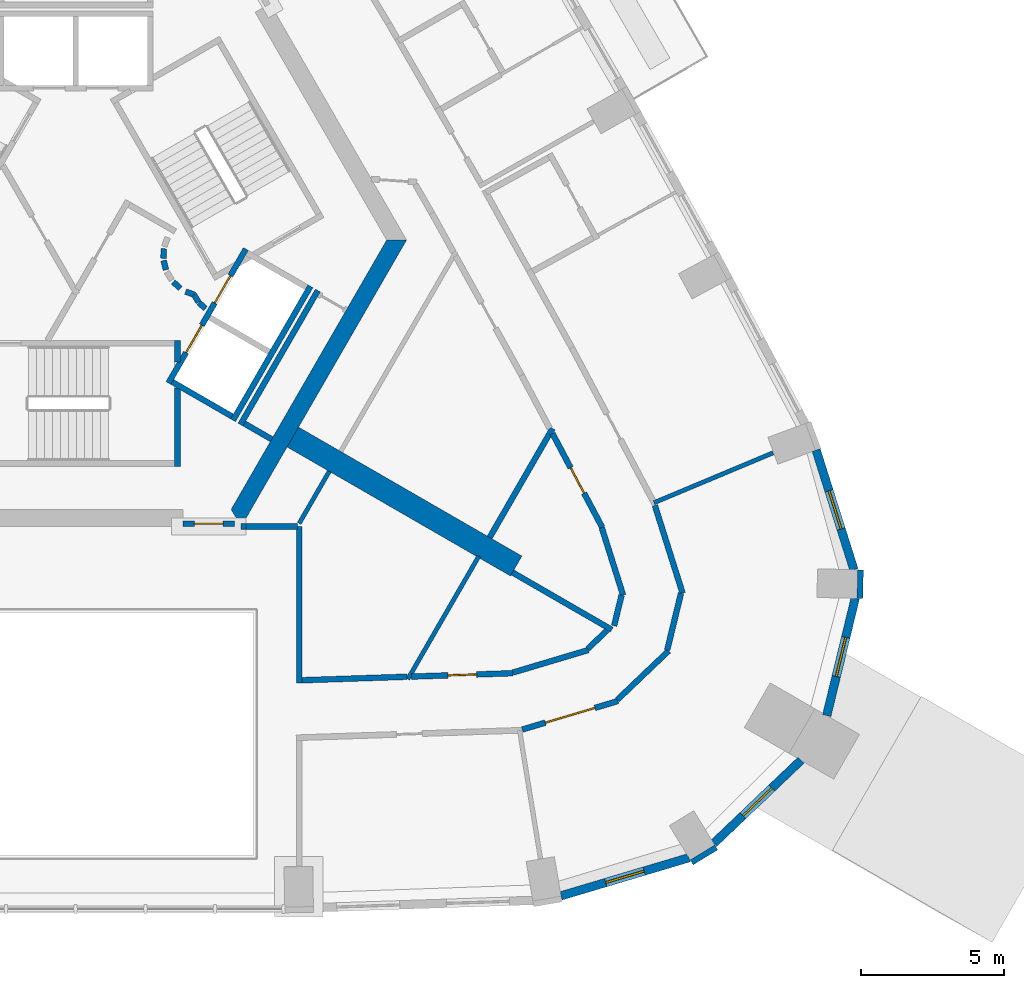
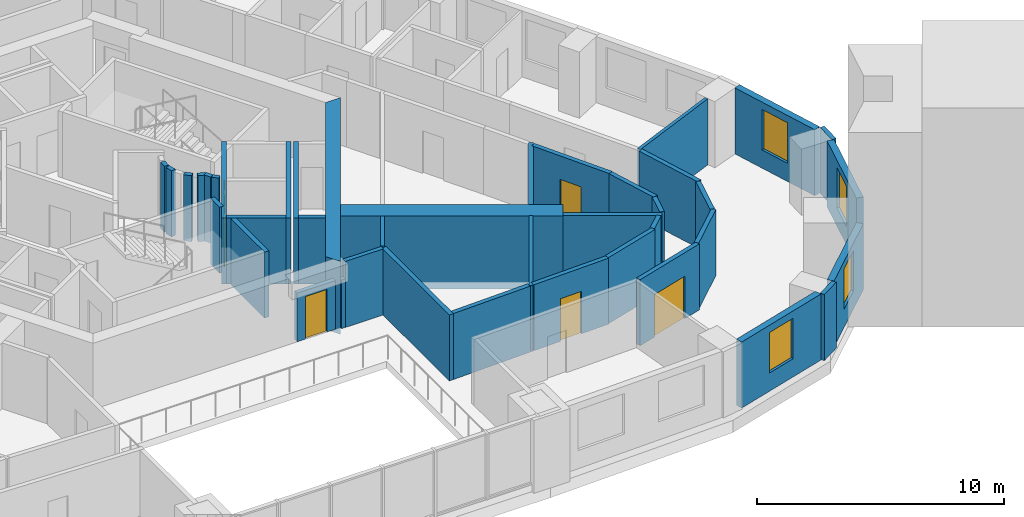
# One storey, part 6 of 13: 41 walls, 6 doors, 4 windows, 10 openings.
"""IFC4 building model written with IfcOpenShell, lengths in metres."""

from ifc_helpers import new_model, si_unit, direction, frame, frame_2d, origin, place, context, subcontext, project, spatial, polyline, rectangle, outline, extrude, material, layer, layer_set, type_object, element, fill, save


model = new_model("IFC4")

# Units and contexts
model_context = context("Model", 3, precision=1e-05, world=origin(), true_north=direction((0.0, 1.0)))
body_context = subcontext(model_context, "Body", "Model", "MODEL_VIEW")
ifc_project = project(units=[si_unit("LENGTHUNIT", "METRE"), si_unit("AREAUNIT", "SQUARE_METRE"), si_unit("VOLUMEUNIT", "CUBIC_METRE"), si_unit("PLANEANGLEUNIT", "RADIAN"), si_unit("MASSUNIT", "GRAM", prefix="KILO")], contexts=[model_context])

# Site, building, storey
site_placement = place(None, origin())
site = spatial("IfcSite", under=ifc_project, at=site_placement, CompositionType="ELEMENT")
building_placement = place(site_placement, origin())
building = spatial("IfcBuilding", under=site, at=building_placement, Name="Entoto Arch Interchange Tower", CompositionType="ELEMENT")
storey_placement = place(building_placement, frame((0.0, 0.0, 263.0)))
storey = spatial("IfcBuildingStorey", under=building, at=storey_placement, Name="L60", CompositionType="ELEMENT", Elevation=263.0)

# Wall
ifc_material_1 = material(Name="Concrete C40/50", Category="concrete")
ifc_layer_1 = layer(ifc_material_1, 0.800048828125)
ifc_layer_set_1 = layer_set([ifc_layer_1], Name="Concrete C40/50")
wall_type_1 = type_object("IfcWallType", Name="Buttress wall 800 C40/50", PredefinedType="SHEAR", material=ifc_layer_set_1)
wall_1_placement = place(storey_placement, frame((7.577880859375, -4.375, -0.340087890625), z_axis=(0.0, 0.0, 1.0), x_axis=(0.866024315419, -0.5000018851, 0.0)))
element("IfcWall", 1, at=wall_1_placement, inside=storey, type_object=wall_type_1, Name="Buttress wall SE L60", PredefinedType="SHEAR", context=body_context, shape_type="SweptSolid", body=[
    extrude(rectangle(XDim=9.0, YDim=0.800048828125, at=frame_2d((4.5, 0.0))), origin(), (0.0, 0.0, 1.0), 3.60009765625),
])

# Wall, opening, door
ifc_material_2 = material(Name="Reinforced concrete C40/50", Category="concrete")
ifc_layer_2 = layer(ifc_material_2, 0.199951171875)
ifc_layer_set_2 = layer_set([ifc_layer_2], Name="Reinforced concrete C40/50")
wall_type_2 = type_object("IfcWallType", Name="CORE GAP INFILL WALL", PredefinedType="PARTITIONING", material=ifc_layer_set_2)
wall_2_placement = place(storey_placement, frame((3.75, -7.39990234375, 0.0), z_axis=(0.0, 0.0, 1.0), x_axis=(1.0, 0.0, 0.0)))
wall_2 = element("IfcWall", 2, at=wall_2_placement, inside=storey, type_object=wall_type_2, Name="wall:L60:gap1", PredefinedType="PARTITIONING", context=body_context, shape_type="SweptSolid", body=[
    extrude(rectangle(XDim=1.7939453125, YDim=0.199951171875, at=frame_2d((0.89697265625, 0.0))), origin(), (0.0, 0.0, 1.0), 2.39990234375),
])
opening_1_placement = place(wall_2_placement, frame((0.39697265625, 0.0, 0.0)))
opening_1 = element("IfcOpeningElement", 3, at=opening_1_placement, cuts=wall_2, Name="Opening L60-D91", PredefinedType="OPENING", context=body_context, shape_type="SweptSolid", body=[
    extrude(rectangle(XDim=1.0, YDim=2.10009765625, at=frame_2d((0.5, 1.050048828125))), frame((0.0, 0.10986328125, 0.0), z_axis=(0.0, -1.0, 0.0), x_axis=(1.0, 0.0, 0.0)), (0.0, 0.0, 1.0), 0.219970703125),
])
ifc_material_3 = material(Name="Fire-rated Steel S235 door and frame", Category="steel")
door_type_1 = type_object("IfcDoorType", Name="DOOR FD-10 1000x2100", OperationType="SINGLE_SWING_LEFT", PredefinedType="DOOR", material=ifc_material_3)
door_1_placement = place(opening_1_placement, origin())
door_1 = element("IfcDoor", 4, at=door_1_placement, inside=storey, type_object=door_type_1, Name="door:L60:gap1", OperationType="SINGLE_SWING_LEFT", OverallHeight=2.10009765625, OverallWidth=1.0, PredefinedType="DOOR", context=body_context, shape_type="SweptSolid", body=[
    extrude(rectangle(XDim=1.0, YDim=2.10009765625, at=frame_2d((0.5, 1.050048828125))), frame((0.0, 0.02490234375, 0.0), z_axis=(0.0, -1.0, 0.0), x_axis=(1.0, 0.0, 0.0)), (0.0, 0.0, 1.0), 0.050048828125),
])
fill(opening_1, door_1)

# Wall
ifc_layer_3 = layer(ifc_material_1, 0.60009765625)
ifc_layer_set_3 = layer_set([ifc_layer_3], Name="Concrete C40/50")
wall_type_3 = type_object("IfcWallType", Name="Core wall 600 C40/50", PredefinedType="SHEAR", material=ifc_layer_set_3)
wall_3_placement = place(storey_placement, frame((0.0, 0.0, -0.340087890625)))
element("IfcWall", 5, at=wall_3_placement, inside=storey, type_object=wall_type_3, Name="Core wall SE L60", PredefinedType="SHEAR", context=body_context, shape_type="SweptSolid", body=[
    extrude(outline(polyline([(5.77392578125, -7.5), (11.547119140625, 2.5), (10.85400390625, 2.5), (5.427001953125, -6.89990234375), (5.77392578125, -7.5)])), origin(), (0.0, 0.0, 1.0), 3.60009765625),
])

# Wall, openings, doors
ifc_layer_4 = layer(ifc_material_1, 0.199951171875)
ifc_layer_set_4 = layer_set([ifc_layer_4], Name="Concrete C40/50")
wall_type_4 = type_object("IfcWallType", Name="LIFT SHAFT WALL 200", PredefinedType="STANDARD", material=ifc_layer_set_4)
wall_4_placement = place(storey_placement, frame((3.239990234375, -2.488037109375, 0.0), z_axis=(0.0, 0.0, 1.0), x_axis=(0.500034260056, 0.866005622828, 0.0)))
wall_4 = element("IfcWall", 6, at=wall_4_placement, inside=storey, type_object=wall_type_4, Name="Shaft wall SE1 front", PredefinedType="STANDARD", context=body_context, shape_type="SweptSolid", body=[
    extrude(rectangle(XDim=5.3994140625, YDim=0.199951171875, at=frame_2d((2.69970703125, 0.0))), origin(), (0.0, 0.0, 1.0), 3.260009765625),
])
opening_2_placement = place(wall_4_placement, frame((3.22509765625, 0.0, 0.0)))
opening_2 = element("IfcOpeningElement", 7, at=opening_2_placement, cuts=wall_4, Name="Opening LD-HR3-L60", PredefinedType="OPENING", context=body_context, shape_type="SweptSolid", body=[
    extrude(rectangle(XDim=1.10009765625, YDim=2.10009765625, at=frame_2d((0.550048828125, 1.050048828125))), frame((0.0, 0.10986328125, 0.0), z_axis=(0.0, -1.0, 0.0), x_axis=(1.0, 0.0, 0.0)), (0.0, 0.0, 1.0), 0.219970703125),
])
opening_3_placement = place(wall_4_placement, frame((1.22509765625, 0.0, 0.0)))
opening_3 = element("IfcOpeningElement", 8, at=opening_3_placement, cuts=wall_4, Name="Opening LD-FF1-L60", PredefinedType="OPENING", context=body_context, shape_type="SweptSolid", body=[
    extrude(rectangle(XDim=1.10009765625, YDim=2.10009765625, at=frame_2d((0.550048828125, 1.050048828125))), frame((0.0, 0.10986328125, 0.0), z_axis=(0.0, -1.0, 0.0), x_axis=(1.0, 0.0, 0.0)), (0.0, 0.0, 1.0), 0.219970703125),
])
ifc_material_4 = material(Name="Stainless steel 1.4301 panels", Category="steel")
door_type_2 = type_object("IfcDoorType", Name="LIFT LANDING DOOR LD1 1100x2100", OperationType="SLIDING_TO_LEFT", PredefinedType="DOOR", material=ifc_material_4)
door_2_placement = place(opening_2_placement, origin())
door_2 = element("IfcDoor", 9, at=door_2_placement, inside=storey, type_object=door_type_2, Name="Lift landing door HR3 L60", OperationType="SLIDING_TO_LEFT", OverallHeight=2.10009765625, OverallWidth=1.10009765625, PredefinedType="DOOR", context=body_context, shape_type="SweptSolid", body=[
    extrude(rectangle(XDim=1.10009765625, YDim=2.10009765625, at=frame_2d((0.550048828125, 1.050048828125))), frame((0.0, 0.02490234375, 0.0), z_axis=(0.0, -1.0, 0.0), x_axis=(1.0, 0.0, 0.0)), (0.0, 0.0, 1.0), 0.050048828125),
])
fill(opening_2, door_2)
door_3_placement = place(opening_3_placement, origin())
door_3 = element("IfcDoor", 10, at=door_3_placement, inside=storey, type_object=door_type_2, Name="Lift landing door FF1 L60", OperationType="SLIDING_TO_LEFT", OverallHeight=2.10009765625, OverallWidth=1.10009765625, PredefinedType="DOOR", context=body_context, shape_type="SweptSolid", body=[
    extrude(rectangle(XDim=1.10009765625, YDim=2.10009765625, at=frame_2d((0.550048828125, 1.050048828125))), frame((0.0, 0.02490234375, 0.0), z_axis=(0.0, -1.0, 0.0), x_axis=(1.0, 0.0, 0.0)), (0.0, 0.0, 1.0), 0.050048828125),
])
fill(opening_3, door_3)

# Walls
wall_5_placement = place(storey_placement, frame((5.491943359375, -3.7880859375, 0.0), z_axis=(0.0, 0.0, 1.0), x_axis=(0.500034260056, 0.866005622828, 0.0)))
element("IfcWall", 11, at=wall_5_placement, inside=storey, type_object=wall_type_4, Name="Shaft wall SE1 back", PredefinedType="STANDARD", context=body_context, shape_type="SweptSolid", body=[
    extrude(rectangle(XDim=5.3994140625, YDim=0.199951171875, at=frame_2d((2.69970703125, 0.0))), origin(), (0.0, 0.0, 1.0), 3.260009765625),
])
wall_6_placement = place(storey_placement, frame((3.376953125, -2.451904296875, 0.0), z_axis=(0.0, 0.0, 1.0), x_axis=(0.865955154139, -0.50012165622, 0.0)))
element("IfcWall", 12, at=wall_6_placement, inside=storey, type_object=wall_type_4, Name="Shaft wall SE1 cross 1", PredefinedType="STANDARD", context=body_context, shape_type="SweptSolid", body=[
    extrude(rectangle(XDim=2.39990234375, YDim=0.199951171875, at=frame_2d((1.199951171875, 0.0))), origin(), (0.0, 0.0, 1.0), 3.260009765625),
])
ifc_material_5 = material(Name="Gypsum board partition on steel studs", Category="steel")
ifc_layer_5 = layer(ifc_material_5, 0.14990234375)
ifc_layer_set_5 = layer_set([ifc_layer_5], Name="Gypsum board partition on steel studs")
wall_type_5 = type_object("IfcWallType", Name="PARTITION 150", PredefinedType="PARTITIONING", material=ifc_layer_set_5)
wall_7_placement = place(storey_placement, frame((7.800048828125, -7.389892578125, 0.0), z_axis=(0.0, 0.0, 1.0), x_axis=(0.499977374825, 0.866038466041, 0.0)))
element("IfcWall", 13, at=wall_7_placement, inside=storey, type_object=wall_type_5, Name="wall:L60:p085", PredefinedType="PARTITIONING", context=body_context, shape_type="SweptSolid", body=[
    extrude(rectangle(XDim=2.10009765625, YDim=0.14990234375, at=frame_2d((1.050048828125, 0.0))), origin(), (0.0, 0.0, 1.0), 3.260009765625),
])
wall_8_placement = place(storey_placement, frame((14.06689453125, -8.535888671875, 0.0), z_axis=(0.0, 0.0, 1.0), x_axis=(-0.500100941679, -0.865967117235, 0.0)))
element("IfcWall", 14, at=wall_8_placement, inside=storey, type_object=wall_type_5, Name="wall:L60:p105", PredefinedType="PARTITIONING", context=body_context, shape_type="SweptSolid", body=[
    extrude(rectangle(XDim=4.95068359375, YDim=0.14990234375, at=frame_2d((2.475341796875, 0.0))), origin(), (0.0, 0.0, 1.0), 3.260009765625),
])
wall_9_placement = place(storey_placement, frame((20.18310546875, -6.666015625, 0.0), z_axis=(0.0, 0.0, 1.0), x_axis=(0.922347108299, 0.386362280525, 0.0)))
element("IfcWall", 15, at=wall_9_placement, inside=storey, type_object=wall_type_5, Name="wall:L60:p112", PredefinedType="PARTITIONING", context=body_context, shape_type="SweptSolid", body=[
    extrude(rectangle(XDim=4.50341796875, YDim=0.14990234375, at=frame_2d((2.251708984375, 0.0))), origin(), (0.0, 0.0, 1.0), 3.260009765625),
])
ifc_layer_6 = layer(ifc_material_5, 0.199951171875)
ifc_layer_set_6 = layer_set([ifc_layer_6], Name="Gypsum board partition on steel studs")
wall_type_6 = type_object("IfcWallType", Name="PARTITION 200", PredefinedType="PARTITIONING", material=ifc_layer_set_6)
wall_10_placement = place(storey_placement, frame((7.89990234375, -12.861083984375, 0.0), z_axis=(0.0, 0.0, 1.0), x_axis=(0.999446088303, 0.033279371614, 0.0)))
element("IfcWall", 16, at=wall_10_placement, inside=storey, type_object=wall_type_6, Name="wall:L60:p020", PredefinedType="PARTITIONING", context=body_context, shape_type="SweptSolid", body=[
    extrude(rectangle(XDim=3.66796875, YDim=0.199951171875, at=frame_2d((1.833984375, 0.0))), origin(), (0.0, 0.0, 1.0), 3.260009765625),
])

# Wall, opening, door
wall_11_placement = place(storey_placement, frame((11.716064453125, -12.73388671875, 0.0), z_axis=(0.0, 0.0, 1.0), x_axis=(0.999449093602, 0.03318899362, 0.0)))
wall_11 = element("IfcWall", 17, at=wall_11_placement, inside=storey, type_object=wall_type_6, Name="wall:L60:p023", PredefinedType="PARTITIONING", context=body_context, shape_type="SweptSolid", body=[
    extrude(rectangle(XDim=3.552978515625, YDim=0.199951171875, at=frame_2d((1.7763671875, 0.0))), origin(), (0.0, 0.0, 1.0), 3.260009765625),
])
opening_4_placement = place(wall_11_placement, frame((1.27587890625, 0.0, 0.0)))
opening_4 = element("IfcOpeningElement", 18, at=opening_4_placement, cuts=wall_11, Name="Opening L60-D25", PredefinedType="OPENING", context=body_context, shape_type="SweptSolid", body=[
    extrude(rectangle(XDim=1.0, YDim=2.10009765625, at=frame_2d((0.5, 1.050048828125))), frame((0.0, 0.10986328125, 0.0), z_axis=(0.0, -1.0, 0.0), x_axis=(1.0, 0.0, 0.0)), (0.0, 0.0, 1.0), 0.219970703125),
])
ifc_material_6 = material(Name="Timber door leaf in Steel S235 frame", Category="steel")
door_type_3 = type_object("IfcDoorType", Name="DOOR DS-10 1000x2100", OperationType="SINGLE_SWING_LEFT", PredefinedType="DOOR", material=ifc_material_6)
door_4_placement = place(opening_4_placement, origin())
door_4 = element("IfcDoor", 19, at=door_4_placement, inside=storey, type_object=door_type_3, Name="door:L60:25", OperationType="SINGLE_SWING_LEFT", OverallHeight=2.10009765625, OverallWidth=1.0, PredefinedType="DOOR", context=body_context, shape_type="SweptSolid", body=[
    extrude(rectangle(XDim=1.0, YDim=2.10009765625, at=frame_2d((0.5, 1.050048828125))), frame((0.0, 0.02490234375, 0.0), z_axis=(0.0, -1.0, 0.0), x_axis=(1.0, 0.0, 0.0)), (0.0, 0.0, 1.0), 0.050048828125),
])
fill(opening_4, door_4)

# Walls
wall_12_placement = place(storey_placement, frame((15.262939453125, -12.591064453125, 0.0), z_axis=(0.0, 0.0, 1.0), x_axis=(0.958253964342, 0.285918414628, 0.0)))
element("IfcWall", 20, at=wall_12_placement, inside=storey, type_object=wall_type_6, Name="wall:L60:p024", PredefinedType="PARTITIONING", context=body_context, shape_type="SweptSolid", body=[
    extrude(rectangle(XDim=2.74267578125, YDim=0.199951171875, at=frame_2d((1.371337890625, 0.0))), origin(), (0.0, 0.0, 1.0), 3.260009765625),
])
wall_13_placement = place(storey_placement, frame((17.867919921875, -11.76708984375, 0.0), z_axis=(0.0, 0.0, 1.0), x_axis=(0.723402701671, 0.690426340181, 0.0)))
element("IfcWall", 21, at=wall_13_placement, inside=storey, type_object=wall_type_6, Name="wall:L60:p025", PredefinedType="PARTITIONING", context=body_context, shape_type="SweptSolid", body=[
    extrude(rectangle(XDim=0.940185546875, YDim=0.199951171875, at=frame_2d((0.47021484375, 0.0))), origin(), (0.0, 0.0, 1.0), 3.260009765625),
])
wall_14_placement = place(storey_placement, frame((18.791015625, -10.9609375, 0.0), z_axis=(0.0, 0.0, 1.0), x_axis=(0.236572634589, 0.971613806285, 0.0)))
element("IfcWall", 22, at=wall_14_placement, inside=storey, type_object=wall_type_6, Name="wall:L60:p026", PredefinedType="PARTITIONING", context=body_context, shape_type="SweptSolid", body=[
    extrude(rectangle(XDim=1.09912109375, YDim=0.199951171875, at=frame_2d((0.549560546875, 0.0))), origin(), (0.0, 0.0, 1.0), 3.260009765625),
])
wall_15_placement = place(storey_placement, frame((19.10400390625, -9.89111328125, 0.0), z_axis=(0.0, 0.0, 1.0), x_axis=(-0.301325410186, 0.953521366922, 0.0)))
element("IfcWall", 23, at=wall_15_placement, inside=storey, type_object=wall_type_6, Name="wall:L60:p027", PredefinedType="PARTITIONING", context=body_context, shape_type="SweptSolid", body=[
    extrude(rectangle(XDim=2.46875, YDim=0.199951171875, at=frame_2d((1.234375, 0.0))), origin(), (0.0, 0.0, 1.0), 3.260009765625),
])

# Wall, opening, door
wall_16_placement = place(storey_placement, frame((18.376953125, -7.530029296875, 0.0), z_axis=(0.0, 0.0, 1.0), x_axis=(-0.468214048123, 0.883615077474, 0.0)))
wall_16 = element("IfcWall", 24, at=wall_16_placement, inside=storey, type_object=wall_type_6, Name="wall:L60:p028", PredefinedType="PARTITIONING", context=body_context, shape_type="SweptSolid", body=[
    extrude(rectangle(XDim=3.712158203125, YDim=0.199951171875, at=frame_2d((1.85595703125, 0.0))), origin(), (0.0, 0.0, 1.0), 3.260009765625),
])
opening_5_placement = place(wall_16_placement, frame((1.35595703125, 0.0, 0.0)))
opening_5 = element("IfcOpeningElement", 25, at=opening_5_placement, cuts=wall_16, Name="Opening L60-D26", PredefinedType="OPENING", context=body_context, shape_type="SweptSolid", body=[
    extrude(rectangle(XDim=1.0, YDim=2.10009765625, at=frame_2d((0.5, 1.050048828125))), frame((0.0, 0.10986328125, 0.0), z_axis=(0.0, -1.0, 0.0), x_axis=(1.0, 0.0, 0.0)), (0.0, 0.0, 1.0), 0.219970703125),
])
door_5_placement = place(opening_5_placement, origin())
door_5 = element("IfcDoor", 26, at=door_5_placement, inside=storey, type_object=door_type_3, Name="door:L60:26", OperationType="SINGLE_SWING_RIGHT", OverallHeight=2.10009765625, OverallWidth=1.0, PredefinedType="DOOR", context=body_context, shape_type="SweptSolid", body=[
    extrude(rectangle(XDim=1.0, YDim=2.10009765625, at=frame_2d((0.5, 1.050048828125))), frame((0.0, 0.02490234375, 0.0), z_axis=(0.0, -1.0, 0.0), x_axis=(1.0, 0.0, 0.0)), (0.0, 0.0, 1.0), 0.050048828125),
])
fill(opening_5, door_5)

# Walls
wall_17_placement = place(storey_placement, frame((20.212890625, -6.760986328125, 0.0), z_axis=(0.0, 0.0, 1.0), x_axis=(0.301331608119, -0.953519408271, 0.0)))
element("IfcWall", 27, at=wall_17_placement, inside=storey, type_object=wall_type_6, Name="wall:L60:p039", PredefinedType="PARTITIONING", context=body_context, shape_type="SweptSolid", body=[
    extrude(rectangle(XDim=3.209228515625, YDim=0.199951171875, at=frame_2d((1.6044921875, 0.0))), origin(), (0.0, 0.0, 1.0), 3.260009765625),
])
wall_18_placement = place(storey_placement, frame((21.1259765625, -9.822998046875, 0.0), z_axis=(0.0, 0.0, 1.0), x_axis=(-0.236372924437, -0.971662410816, 0.0)))
element("IfcWall", 28, at=wall_18_placement, inside=storey, type_object=wall_type_6, Name="wall:L60:p040", PredefinedType="PARTITIONING", context=body_context, shape_type="SweptSolid", body=[
    extrude(rectangle(XDim=2.04296875, YDim=0.199951171875, at=frame_2d((1.021484375, 0.0))), origin(), (0.0, 0.0, 1.0), 3.260009765625),
])
wall_19_placement = place(storey_placement, frame((20.69189453125, -11.8369140625, 0.0), z_axis=(0.0, 0.0, 1.0), x_axis=(-0.723668833869, -0.690147389248, 0.0)))
element("IfcWall", 29, at=wall_19_placement, inside=storey, type_object=wall_type_6, Name="wall:L60:p041", PredefinedType="PARTITIONING", context=body_context, shape_type="SweptSolid", body=[
    extrude(rectangle(XDim=2.476318359375, YDim=0.199951171875, at=frame_2d((1.23828125, 0.0))), origin(), (0.0, 0.0, 1.0), 3.260009765625),
])

# Wall, opening, door
wall_20_placement = place(storey_placement, frame((18.924072265625, -13.5869140625, 0.0), z_axis=(0.0, 0.0, 1.0), x_axis=(-0.958378336681, -0.285501250052, 0.0)))
wall_20 = element("IfcWall", 30, at=wall_20_placement, inside=storey, type_object=wall_type_6, Name="wall:L60:p042", PredefinedType="PARTITIONING", context=body_context, shape_type="SweptSolid", body=[
    extrude(rectangle(XDim=3.482177734375, YDim=0.199951171875, at=frame_2d((1.7412109375, 0.0))), origin(), (0.0, 0.0, 1.0), 3.260009765625),
])
opening_6_placement = place(wall_20_placement, frame((0.841064453125, 0.0, 0.0)))
opening_6 = element("IfcOpeningElement", 31, at=opening_6_placement, cuts=wall_20, Name="Opening L60-D20", PredefinedType="OPENING", context=body_context, shape_type="SweptSolid", body=[
    extrude(rectangle(XDim=1.800048828125, YDim=2.10009765625, at=frame_2d((0.89990234375, 1.050048828125))), frame((0.0, 0.10986328125, 0.0), z_axis=(0.0, -1.0, 0.0), x_axis=(1.0, 0.0, 0.0)), (0.0, 0.0, 1.0), 0.219970703125),
])
door_type_4 = type_object("IfcDoorType", Name="DOOR DD-18 1800x2100", OperationType="DOUBLE_DOOR_SINGLE_SWING", PredefinedType="DOOR", material=ifc_material_6)
door_6_placement = place(opening_6_placement, origin())
door_6 = element("IfcDoor", 32, at=door_6_placement, inside=storey, type_object=door_type_4, Name="door:L60:20", OperationType="DOUBLE_DOOR_SINGLE_SWING", OverallHeight=2.10009765625, OverallWidth=1.800048828125, PredefinedType="DOOR", context=body_context, shape_type="SweptSolid", body=[
    extrude(rectangle(XDim=1.800048828125, YDim=2.10009765625, at=frame_2d((0.89990234375, 1.050048828125))), frame((0.0, 0.02490234375, 0.0), z_axis=(0.0, -1.0, 0.0), x_axis=(1.0, 0.0, 0.0)), (0.0, 0.0, 1.0), 0.050048828125),
])
fill(opening_6, door_6)

# Walls
wall_21_placement = place(storey_placement, frame((5.7509765625, -3.93798828125, 0.0), z_axis=(0.0, 0.0, 1.0), x_axis=(0.500034260056, 0.866005622828, 0.0)))
element("IfcWall", 33, at=wall_21_placement, inside=storey, type_object=wall_type_6, Name="wall:L60:p075", PredefinedType="PARTITIONING", context=body_context, shape_type="SweptSolid", body=[
    extrude(rectangle(XDim=5.3994140625, YDim=0.199951171875, at=frame_2d((2.69970703125, 0.0))), origin(), (0.0, 0.0, 1.0), 3.260009765625),
])
wall_22_placement = place(storey_placement, frame((6.841064453125, -4.451904296875, 0.0), z_axis=(0.0, 0.0, 1.0), x_axis=(-0.86621513555, 0.499671230855, 0.0)))
element("IfcWall", 34, at=wall_22_placement, inside=storey, type_object=wall_type_6, Name="wall:L60:p077", PredefinedType="PARTITIONING", context=body_context, shape_type="SweptSolid", body=[
    extrude(rectangle(XDim=1.100341796875, YDim=0.199951171875, at=frame_2d((0.55029296875, 0.0))), origin(), (0.0, 0.0, 1.0), 3.260009765625),
])
wall_23_placement = place(storey_placement, frame((5.77490234375, -7.4990234375, 0.0), z_axis=(0.0, 0.0, 1.0), x_axis=(1.0, 0.0, 0.0)))
element("IfcWall", 35, at=wall_23_placement, inside=storey, type_object=wall_type_6, Name="wall:L60:p084", PredefinedType="PARTITIONING", context=body_context, shape_type="SweptSolid", body=[
    extrude(rectangle(XDim=0.169189453125, YDim=0.199951171875, at=frame_2d((0.08447265625, 0.0))), origin(), (0.0, 0.0, 1.0), 2.39990234375),
])
wall_24_placement = place(storey_placement, frame((3.0791015625, 2.198974609375, 0.0), z_axis=(0.0, 0.0, 1.0), x_axis=(-0.047771483479, -0.998858290933, 0.0)))
element("IfcWall", 36, at=wall_24_placement, inside=storey, type_object=wall_type_6, Name="wall:L60:p090", PredefinedType="PARTITIONING", context=body_context, shape_type="SweptSolid", body=[
    extrude(rectangle(XDim=0.33740234375, YDim=0.199951171875, at=frame_2d((0.168701171875, 0.0))), origin(), (0.0, 0.0, 1.0), 3.260009765625),
])
wall_25_placement = place(storey_placement, frame((3.070068359375, 1.785888671875, 0.0), z_axis=(0.0, 0.0, 1.0), x_axis=(0.242705583207, -0.970099994784, 0.0)))
element("IfcWall", 37, at=wall_25_placement, inside=storey, type_object=wall_type_6, Name="wall:L60:p091", PredefinedType="PARTITIONING", context=body_context, shape_type="SweptSolid", body=[
    extrude(rectangle(XDim=0.337890625, YDim=0.199951171875, at=frame_2d((0.1689453125, 0.0))), origin(), (0.0, 0.0, 1.0), 3.260009765625),
])
wall_26_placement = place(storey_placement, frame((3.404052734375, 1.0390625, 0.0), z_axis=(0.0, 0.0, 1.0), x_axis=(0.740267097712, -0.672312891476, 0.0)))
element("IfcWall", 38, at=wall_26_placement, inside=storey, type_object=wall_type_6, Name="wall:L60:p093", PredefinedType="PARTITIONING", context=body_context, shape_type="SweptSolid", body=[
    extrude(rectangle(XDim=0.337646484375, YDim=0.199951171875, at=frame_2d((0.1689453125, 0.0))), origin(), (0.0, 0.0, 1.0), 3.260009765625),
])
wall_27_placement = place(storey_placement, frame((3.837890625, 0.701904296875, 0.0), z_axis=(0.0, 0.0, 1.0), x_axis=(0.941035081519, -0.338308993895, 0.0)))
element("IfcWall", 39, at=wall_27_placement, inside=storey, type_object=wall_type_6, Name="wall:L60:p094", PredefinedType="PARTITIONING", context=body_context, shape_type="SweptSolid", body=[
    extrude(rectangle(XDim=0.3369140625, YDim=0.199951171875, at=frame_2d((0.16845703125, 0.0))), origin(), (0.0, 0.0, 1.0), 3.260009765625),
])
wall_28_placement = place(storey_placement, frame((4.132080078125, 0.593017578125, 0.0), z_axis=(0.0, 0.0, 1.0), x_axis=(0.513561617048, -0.858052717201, 0.0)))
element("IfcWall", 40, at=wall_28_placement, inside=storey, type_object=wall_type_6, Name="wall:L60:p095", PredefinedType="PARTITIONING", context=body_context, shape_type="SweptSolid", body=[
    extrude(rectangle(XDim=0.3076171875, YDim=0.199951171875, at=frame_2d((0.15380859375, 0.0))), origin(), (0.0, 0.0, 1.0), 3.260009765625),
])
wall_29_placement = place(storey_placement, frame((4.301025390625, 0.31494140625, 0.0), z_axis=(0.0, 0.0, 1.0), x_axis=(0.741798017506, -0.670623367639, 0.0)))
element("IfcWall", 41, at=wall_29_placement, inside=storey, type_object=wall_type_6, Name="wall:L60:p096", PredefinedType="PARTITIONING", context=body_context, shape_type="SweptSolid", body=[
    extrude(rectangle(XDim=0.30859375, YDim=0.199951171875, at=frame_2d((0.154296875, 0.0))), origin(), (0.0, 0.0, 1.0), 3.260009765625),
])
wall_30_placement = place(storey_placement, frame((7.800048828125, -7.4990234375, 0.0), z_axis=(0.0, 0.0, 1.0), x_axis=(0.0, -1.0, 0.0)))
element("IfcWall", 42, at=wall_30_placement, inside=storey, type_object=wall_type_6, Name="wall:L60:p098", PredefinedType="PARTITIONING", context=body_context, shape_type="SweptSolid", body=[
    extrude(rectangle(XDim=5.465087890625, YDim=0.199951171875, at=frame_2d((2.732421875, 0.0))), origin(), (0.0, 0.0, 1.0), 3.260009765625),
])
wall_31_placement = place(storey_placement, frame((16.64208984375, -4.074951171875, 0.0), z_axis=(0.0, 0.0, 1.0), x_axis=(-0.49980426207, -0.866138383641, 0.0)))
element("IfcWall", 43, at=wall_31_placement, inside=storey, type_object=wall_type_6, Name="wall:L60:p106", PredefinedType="PARTITIONING", context=body_context, shape_type="SweptSolid", body=[
    extrude(rectangle(XDim=4.391845703125, YDim=0.199951171875, at=frame_2d((2.19580078125, 0.0))), origin(), (0.0, 0.0, 1.0), 3.260009765625),
])
wall_32_placement = place(storey_placement, frame((15.242919921875, -9.09912109375, 0.0), z_axis=(0.0, 0.0, 1.0), x_axis=(0.866026010844, -0.49999894854, 0.0)))
element("IfcWall", 44, at=wall_32_placement, inside=storey, type_object=wall_type_6, Name="wall:L60:p107", PredefinedType="PARTITIONING", context=body_context, shape_type="SweptSolid", body=[
    extrude(rectangle(XDim=4.0, YDim=0.199951171875, at=frame_2d((2.0, 0.0))), origin(), (0.0, 0.0, 1.0), 3.260009765625),
])
wall_33_placement = place(storey_placement, frame((5.944091796875, -7.4990234375, 0.0), z_axis=(0.0, 0.0, 1.0), x_axis=(1.0, 0.0, 0.0)))
element("IfcWall", 45, at=wall_33_placement, inside=storey, type_object=wall_type_6, Name="wall:L60:p084", PredefinedType="PARTITIONING", context=body_context, shape_type="SweptSolid", body=[
    extrude(rectangle(XDim=1.79296875, YDim=0.199951171875, at=frame_2d((0.896484375, 0.0))), origin(), (0.0, 0.0, 1.0), 3.260009765625),
])
ifc_layer_7 = layer(ifc_material_1, 0.199951171875)
ifc_layer_set_7 = layer_set([ifc_layer_7], Name="Concrete C40/50")
wall_type_7 = type_object("IfcWallType", Name="STAIR ENCLOSURE WALL 200", PredefinedType="STANDARD", material=ifc_layer_set_7)
wall_34_placement = place(storey_placement, frame((3.550048828125, -2.6669921875, 0.0), z_axis=(0.0, 0.0, 1.0), x_axis=(0.0, -1.0, 0.0)))
element("IfcWall", 46, at=wall_34_placement, inside=storey, type_object=wall_type_7, Name="Stair wall ST-S far", PredefinedType="STANDARD", context=body_context, shape_type="SweptSolid", body=[
    extrude(rectangle(XDim=2.73291015625, YDim=0.199951171875, at=frame_2d((1.366455078125, 0.0))), origin(), (0.0, 0.0, 1.0), 3.260009765625),
])
wall_35_placement = place(storey_placement, frame((3.550048828125, -1.0, 0.0), z_axis=(0.0, 0.0, 1.0), x_axis=(0.0, -1.0, 0.0)))
element("IfcWall", 47, at=wall_35_placement, inside=storey, type_object=wall_type_7, Name="Stair wall ST-S far return", PredefinedType="STANDARD", context=body_context, shape_type="SweptSolid", body=[
    extrude(rectangle(XDim=0.7509765625, YDim=0.199951171875, at=frame_2d((0.37548828125, 0.0))), origin(), (0.0, 0.0, 1.0), 3.260009765625),
])

# Wall, opening, window
ifc_material_7 = material(Name="Welded tuff (ignimbrite) cladding, warm buff", Category="masonry")
ifc_layer_8 = layer(ifc_material_7, 0.300048828125)
ifc_layer_set_8 = layer_set([ifc_layer_8], Name="Welded tuff (ignimbrite) cladding, warm buff")
wall_type_8 = type_object("IfcWallType", Name="STONE INFILL WALL 300", PredefinedType="STANDARD", material=ifc_layer_set_8)
wall_36_placement = place(storey_placement, frame((16.93701171875, -20.386962890625, 0.0), z_axis=(0.0, 0.0, 1.0), x_axis=(0.958361270465, 0.285558532131, 0.0)))
wall_36 = element("IfcWall", 48, at=wall_36_placement, inside=storey, type_object=wall_type_8, Name="Facade wall SE-01 L60", PredefinedType="STANDARD", context=body_context, shape_type="SweptSolid", body=[
    extrude(rectangle(XDim=4.65771484375, YDim=0.300048828125, at=frame_2d((2.328857421875, 0.0))), origin(), (0.0, 0.0, 1.0), 3.260009765625),
])
opening_7_placement = place(wall_36_placement, frame((1.62890625, 0.0, 0.89990234375)))
opening_7 = element("IfcOpeningElement", 49, at=opening_7_placement, cuts=wall_36, Name="Opening WH-B", PredefinedType="OPENING", context=body_context, shape_type="SweptSolid", body=[
    extrude(rectangle(XDim=1.39990234375, YDim=2.0, at=frame_2d((0.699951171875, 1.0))), frame((0.0, 0.16015625, 0.0), z_axis=(0.0, -1.0, 0.0), x_axis=(1.0, 0.0, 0.0)), (0.0, 0.0, 1.0), 0.320068359375),
])
ifc_material_8 = material(Name="Clear glass, low-e double glazed", Category="glass")
window_type = type_object("IfcWindowType", Name="WINDOW WH-B 1400x2000", PartitioningType="DOUBLE_PANEL_VERTICAL", PredefinedType="WINDOW", material=ifc_material_8)
window_1_placement = place(opening_7_placement, origin())
window_1 = element("IfcWindow", 50, at=window_1_placement, inside=storey, type_object=window_type, Name="Window WH-B SE-01 L60", OverallHeight=2.0, OverallWidth=1.39990234375, PartitioningType="SINGLE_PANEL", PredefinedType="WINDOW", context=body_context, shape_type="SweptSolid", body=[
    extrude(rectangle(XDim=1.39990234375, YDim=2.0, at=frame_2d((0.699951171875, 1.0))), frame((0.0, 0.030029296875, 0.0), z_axis=(0.0, -1.0, 0.0), x_axis=(1.0, 0.0, 0.0)), (0.0, 0.0, 1.0), 0.06005859375),
])
fill(opening_7, window_1)

wall_37_placement = place(storey_placement, frame((22.26611328125, -18.55908203125, 0.0), z_axis=(0.0, 0.0, 1.0), x_axis=(0.723526681061, 0.690296415892, 0.0)))
wall_37 = element("IfcWall", 51, at=wall_37_placement, inside=storey, type_object=wall_type_8, Name="Facade wall SE-02 L60", PredefinedType="STANDARD", context=body_context, shape_type="SweptSolid", body=[
    extrude(rectangle(XDim=4.209716796875, YDim=0.300048828125, at=frame_2d((2.10498046875, 0.0))), origin(), (0.0, 0.0, 1.0), 3.260009765625),
])
opening_8_placement = place(wall_37_placement, frame((1.405029296875, 0.0, 0.89990234375)))
opening_8 = element("IfcOpeningElement", 52, at=opening_8_placement, cuts=wall_37, Name="Opening WH-B", PredefinedType="OPENING", context=body_context, shape_type="SweptSolid", body=[
    extrude(rectangle(XDim=1.39990234375, YDim=2.0, at=frame_2d((0.699951171875, 1.0))), frame((0.0, 0.16015625, 0.0), z_axis=(0.0, -1.0, 0.0), x_axis=(1.0, 0.0, 0.0)), (0.0, 0.0, 1.0), 0.320068359375),
])
window_2_placement = place(opening_8_placement, origin())
window_2 = element("IfcWindow", 53, at=window_2_placement, inside=storey, type_object=window_type, Name="Window WH-B SE-02 L60", OverallHeight=2.0, OverallWidth=1.39990234375, PartitioningType="SINGLE_PANEL", PredefinedType="WINDOW", context=body_context, shape_type="SweptSolid", body=[
    extrude(rectangle(XDim=1.39990234375, YDim=2.0, at=frame_2d((0.699951171875, 1.0))), frame((0.0, 0.030029296875, 0.0), z_axis=(0.0, -1.0, 0.0), x_axis=(1.0, 0.0, 0.0)), (0.0, 0.0, 1.0), 0.06005859375),
])
fill(opening_8, window_2)

wall_38_placement = place(storey_placement, frame((26.2109375, -14.094970703125, 0.0), z_axis=(0.0, 0.0, 1.0), x_axis=(0.236077883519, 0.97173413695, 0.0)))
wall_38 = element("IfcWall", 54, at=wall_38_placement, inside=storey, type_object=wall_type_8, Name="Facade wall SE-03 L60", PredefinedType="STANDARD", context=body_context, shape_type="SweptSolid", body=[
    extrude(rectangle(XDim=4.211181640625, YDim=0.300048828125, at=frame_2d((2.10546875, 0.0))), origin(), (0.0, 0.0, 1.0), 3.260009765625),
])
opening_9_placement = place(wall_38_placement, frame((1.405029296875, 0.0, 0.89990234375)))
opening_9 = element("IfcOpeningElement", 55, at=opening_9_placement, cuts=wall_38, Name="Opening WH-B", PredefinedType="OPENING", context=body_context, shape_type="SweptSolid", body=[
    extrude(rectangle(XDim=1.39990234375, YDim=2.0, at=frame_2d((0.699951171875, 1.0))), frame((0.0, 0.16015625, 0.0), z_axis=(0.0, -1.0, 0.0), x_axis=(1.0, 0.0, 0.0)), (0.0, 0.0, 1.0), 0.320068359375),
])
window_3_placement = place(opening_9_placement, origin())
window_3 = element("IfcWindow", 56, at=window_3_placement, inside=storey, type_object=window_type, Name="Window WH-B SE-03 L60", OverallHeight=2.0, OverallWidth=1.39990234375, PartitioningType="SINGLE_PANEL", PredefinedType="WINDOW", context=body_context, shape_type="SweptSolid", body=[
    extrude(rectangle(XDim=1.39990234375, YDim=2.0, at=frame_2d((0.699951171875, 1.0))), frame((0.0, 0.030029296875, 0.0), z_axis=(0.0, -1.0, 0.0), x_axis=(1.0, 0.0, 0.0)), (0.0, 0.0, 1.0), 0.06005859375),
])
fill(opening_9, window_3)

wall_39_placement = place(storey_placement, frame((27.160888671875, -9.00390625, 0.0), z_axis=(0.0, 0.0, 1.0), x_axis=(-0.30108868778, 0.953596142028, 0.0)))
wall_39 = element("IfcWall", 57, at=wall_39_placement, inside=storey, type_object=wall_type_8, Name="Facade wall SE-04 L60", PredefinedType="STANDARD", context=body_context, shape_type="SweptSolid", body=[
    extrude(rectangle(XDim=4.38037109375, YDim=0.300048828125, at=frame_2d((2.190185546875, 0.0))), origin(), (0.0, 0.0, 1.0), 3.260009765625),
])
opening_10_placement = place(wall_39_placement, frame((1.489990234375, 0.0, 0.89990234375)))
opening_10 = element("IfcOpeningElement", 58, at=opening_10_placement, cuts=wall_39, Name="Opening WH-B", PredefinedType="OPENING", context=body_context, shape_type="SweptSolid", body=[
    extrude(rectangle(XDim=1.39990234375, YDim=2.0, at=frame_2d((0.699951171875, 1.0))), frame((0.0, 0.16015625, 0.0), z_axis=(0.0, -1.0, 0.0), x_axis=(1.0, 0.0, 0.0)), (0.0, 0.0, 1.0), 0.320068359375),
])
window_4_placement = place(opening_10_placement, origin())
window_4 = element("IfcWindow", 59, at=window_4_placement, inside=storey, type_object=window_type, Name="Window WH-B SE-04 L60", OverallHeight=2.0, OverallWidth=1.39990234375, PartitioningType="SINGLE_PANEL", PredefinedType="WINDOW", context=body_context, shape_type="SweptSolid", body=[
    extrude(rectangle(XDim=1.39990234375, YDim=2.0, at=frame_2d((0.699951171875, 1.0))), frame((0.0, 0.030029296875, 0.0), z_axis=(0.0, -1.0, 0.0), x_axis=(1.0, 0.0, 0.0)), (0.0, 0.0, 1.0), 0.06005859375),
])
fill(opening_10, window_4)

# Walls
ifc_layer_9 = layer(ifc_material_7, 0.199951171875)
ifc_layer_set_9 = layer_set([ifc_layer_9], Name="Welded tuff (ignimbrite) cladding, warm buff")
wall_type_9 = type_object("IfcWallType", Name="STONE PIER CLADDING 200", PredefinedType="STANDARD", material=ifc_layer_set_9)
wall_40_placement = place(storey_placement, frame((21.498046875, -19.217041015625, 0.0), z_axis=(0.0, 0.0, 1.0), x_axis=(0.853679739553, 0.520798331677, 0.0)))
element("IfcWall", 60, at=wall_40_placement, inside=storey, type_object=wall_type_9, Name="Stone pier SE1 L60", PredefinedType="STANDARD", context=body_context, shape_type="SweptSolid", body=[
    extrude(rectangle(XDim=1.00048828125, YDim=0.199951171875, at=frame_2d((0.500244140625, 0.0))), origin(), (0.0, 0.0, 1.0), 3.260009765625),
])
wall_41_placement = place(storey_placement, frame((27.366943359375, -10.008056640625, 0.0), z_axis=(0.0, 0.0, 1.0), x_axis=(0.024186470916, 0.999707464524, 0.0)))
element("IfcWall", 61, at=wall_41_placement, inside=storey, type_object=wall_type_9, Name="Stone pier SE3 L60", PredefinedType="STANDARD", context=body_context, shape_type="SweptSolid", body=[
    extrude(rectangle(XDim=0.999267578125, YDim=0.199951171875, at=frame_2d((0.49951171875, 0.0))), origin(), (0.0, 0.0, 1.0), 3.260009765625),
])

save(model, "model.ifc")
